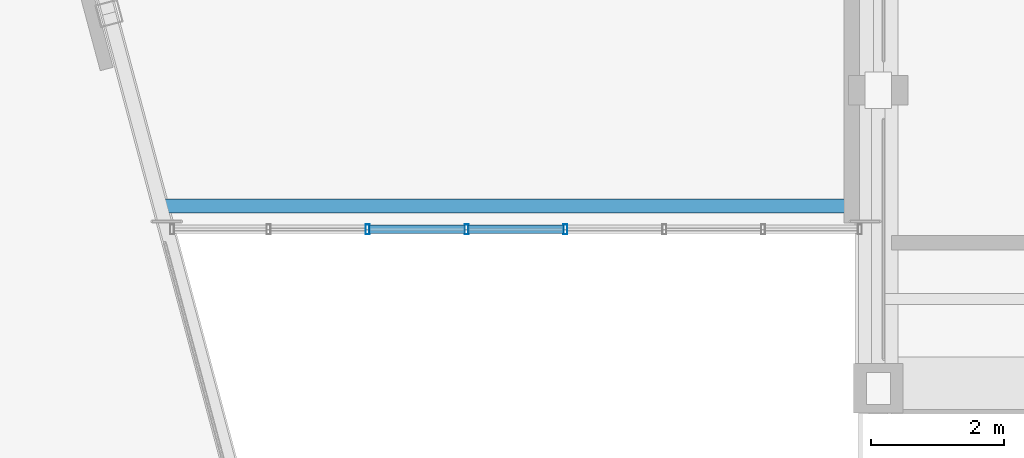
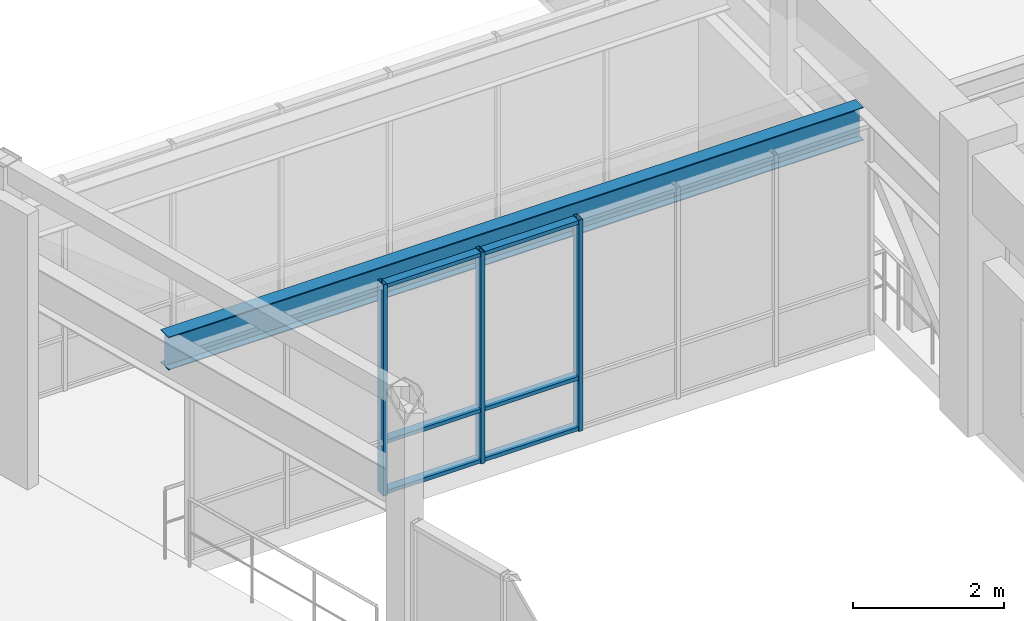
# One storey, part 44 of 99: 9 members, 1 beam, 1 element without a shape of its own.
"""IFC4 building model written with IfcOpenShell, lengths in metres."""

from ifc_helpers import new_model, si_unit, direction, frame, origin, origin_2d, place, context, subcontext, project, spatial, hollow_rectangle, i_section, extrude, material, layer, layer_set, material_profile, profile_set, type_object, element, aggregate, save


model = new_model("IFC4")

# Units and contexts
model_context = context("Model", 3, precision=1e-05, world=origin(), true_north=direction((0.0, 1.0)))
body_context = subcontext(model_context, "Body", "Model", "MODEL_VIEW")
ifc_project = project(units=[si_unit("LENGTHUNIT", "METRE"), si_unit("AREAUNIT", "SQUARE_METRE"), si_unit("VOLUMEUNIT", "CUBIC_METRE"), si_unit("PLANEANGLEUNIT", "RADIAN"), si_unit("MASSUNIT", "GRAM", prefix="KILO")], contexts=[model_context])

# Site, building, storey
site_placement = place(None, origin())
site = spatial("IfcSite", under=ifc_project, at=site_placement, CompositionType="ELEMENT")
building_placement = place(site_placement, origin())
building = spatial("IfcBuilding", under=site, at=building_placement, Name="Ventoquebrada Cableway Terminal", CompositionType="ELEMENT")
storey_placement = place(building_placement, frame((0.0, 0.0, 9.60009765625)))
storey = spatial("IfcBuildingStorey", under=building, at=storey_placement, Name="L02", CompositionType="ELEMENT", Elevation=9.60009765625)

# Beam
ifc_material_1 = material(Name="Steel ASTM A992 Grade 50", Category="steel")
ifc_material_profile_1 = material_profile(ifc_material_1, i_section(OverallWidth=0.2099609375, OverallDepth=0.532958984375, WebThickness=0.01025390625, FlangeThickness=0.015625, at=origin_2d()), Name="W21X62")
ifc_profile_set_1 = profile_set([ifc_material_profile_1], Name="Steel ASTM A992 Grade 50")
beam_type = type_object("IfcBeamType", Name="BM-ST01", PredefinedType="BEAM", material=ifc_profile_set_1)
beam_placement = place(storey_placement, frame((84.166015625, 88.75, 3.183837890625), z_axis=(1.0, 0.0, 0.0), x_axis=(0.0, 1.0, 0.0)))
element("IfcBeam", 1, at=beam_placement, inside=storey, type_object=beam_type, Name="Link bridge roof girder LP-3 FBM-1118", PredefinedType="BEAM", context=body_context, shape_type="SweptSolid", body=[
    extrude(i_section(OverallWidth=0.2099609375, OverallDepth=0.532958984375, WebThickness=0.01025390625, FlangeThickness=0.015625, at=origin_2d()), origin(), (0.0, 0.0, 1.0), 10.60888671875),
])

# Curtain wall, members
ifc_material_2 = material(Name="Anodized thermally-broken aluminium", Category="aluminium")
ifc_layer = layer(ifc_material_2, 0.159912109375)
ifc_layer_set = layer_set([ifc_layer], Name="Anodized thermally-broken aluminium")
curtain_wall_type = type_object("IfcCurtainWallType", Name="CW-T54", PredefinedType="USERDEFINED", material=ifc_layer_set)
curtain_wall_placement = place(storey_placement, origin())
curtain_wall = element("IfcCurtainWall", 2, at=curtain_wall_placement, inside=storey, type_object=curtain_wall_type, Name="Unitised glazed curtain wall CW-173", ObjectType="UNITISED CURTAIN WALL", PredefinedType="USERDEFINED")
ifc_material_profile_2 = material_profile(ifc_material_2, hollow_rectangle(XDim=0.06005859375, YDim=0.14990234375, WallThickness=0.00390625, at=origin_2d()), Name="CW-MUL-60X150")
ifc_profile_set_2 = profile_set([ifc_material_profile_2], Name="Anodized thermally-broken aluminium")
member_type_1 = type_object("IfcMemberType", Name="CWM-03", PredefinedType="MULLION", material=ifc_profile_set_2)
member_1_placement = place(storey_placement, frame((87.291015625, 88.39990234375, -0.008056640625), z_axis=(0.0, 0.0, 1.0), x_axis=(1.0, 0.0, 0.0)))
member_1 = element("IfcMember", 3, at=member_1_placement, type_object=member_type_1, Name="Curtain wall mullion FML-0863", PredefinedType="MULLION", context=body_context, shape_type="SweptSolid", body=[
    extrude(hollow_rectangle(XDim=0.06005859375, YDim=0.14990234375, WallThickness=0.00390625, at=origin_2d()), origin(), (0.0, 0.0, 1.0), 3.412841796875),
])
member_2_placement = place(storey_placement, frame((88.783935546875, 88.39990234375, -0.008056640625), z_axis=(0.0, 0.0, 1.0), x_axis=(1.0, 0.0, 0.0)))
member_2 = element("IfcMember", 4, at=member_2_placement, type_object=member_type_1, Name="Curtain wall mullion FML-0864", PredefinedType="MULLION", context=body_context, shape_type="SweptSolid", body=[
    extrude(hollow_rectangle(XDim=0.06005859375, YDim=0.14990234375, WallThickness=0.00390625, at=origin_2d()), origin(), (0.0, 0.0, 1.0), 3.412841796875),
])
member_3_placement = place(storey_placement, frame((90.27587890625, 88.39990234375, -0.008056640625), z_axis=(0.0, 0.0, 1.0), x_axis=(1.0, 0.0, 0.0)))
member_3 = element("IfcMember", 5, at=member_3_placement, type_object=member_type_1, Name="Curtain wall mullion FML-0865", PredefinedType="MULLION", context=body_context, shape_type="SweptSolid", body=[
    extrude(hollow_rectangle(XDim=0.06005859375, YDim=0.14990234375, WallThickness=0.00390625, at=origin_2d()), origin(), (0.0, 0.0, 1.0), 3.412841796875),
])
ifc_material_profile_3 = material_profile(ifc_material_2, hollow_rectangle(XDim=0.06005859375, YDim=0.1298828125, WallThickness=0.00390625, at=origin_2d()), Name="CW-TRN-60X130")
ifc_profile_set_3 = profile_set([ifc_material_profile_3], Name="Anodized thermally-broken aluminium")
member_type_2 = type_object("IfcMemberType", Name="CWT-02", PredefinedType="USERDEFINED", material=ifc_profile_set_3)
member_4_placement = place(storey_placement, frame((87.31591796875, 88.39990234375, 0.034912109375), z_axis=(1.0, 0.0, 0.0), x_axis=(0.0, 0.0, 1.0)))
member_4 = element("IfcMember", 6, at=member_4_placement, type_object=member_type_2, Name="Curtain wall transom FTR-2519", ObjectType="TRANSOM", PredefinedType="USERDEFINED", context=body_context, shape_type="SweptSolid", body=[
    extrude(hollow_rectangle(XDim=0.06005859375, YDim=0.1298828125, WallThickness=0.00390625, at=origin_2d()), origin(), (0.0, 0.0, 1.0), 1.443115234375),
])
member_5_placement = place(storey_placement, frame((87.31591796875, 88.39990234375, 0.849853515625), z_axis=(1.0, 0.0, 0.0), x_axis=(0.0, 0.0, 1.0)))
member_5 = element("IfcMember", 7, at=member_5_placement, type_object=member_type_2, Name="Curtain wall transom FTR-2520", ObjectType="TRANSOM", PredefinedType="USERDEFINED", context=body_context, shape_type="SweptSolid", body=[
    extrude(hollow_rectangle(XDim=0.06005859375, YDim=0.1298828125, WallThickness=0.00390625, at=origin_2d()), origin(), (0.0, 0.0, 1.0), 1.443115234375),
])
member_6_placement = place(storey_placement, frame((87.31591796875, 88.39990234375, 3.364990234375), z_axis=(1.0, 0.0, 0.0), x_axis=(0.0, 0.0, 1.0)))
member_6 = element("IfcMember", 8, at=member_6_placement, type_object=member_type_2, Name="Curtain wall transom FTR-2521", ObjectType="TRANSOM", PredefinedType="USERDEFINED", context=body_context, shape_type="SweptSolid", body=[
    extrude(hollow_rectangle(XDim=0.06005859375, YDim=0.1298828125, WallThickness=0.00390625, at=origin_2d()), origin(), (0.0, 0.0, 1.0), 1.443115234375),
])
member_7_placement = place(storey_placement, frame((88.80908203125, 88.39990234375, 0.034912109375), z_axis=(1.0, 0.0, 0.0), x_axis=(0.0, 0.0, 1.0)))
member_7 = element("IfcMember", 9, at=member_7_placement, type_object=member_type_2, Name="Curtain wall transom FTR-2522", ObjectType="TRANSOM", PredefinedType="USERDEFINED", context=body_context, shape_type="SweptSolid", body=[
    extrude(hollow_rectangle(XDim=0.06005859375, YDim=0.1298828125, WallThickness=0.00390625, at=origin_2d()), origin(), (0.0, 0.0, 1.0), 1.44189453125),
])
member_8_placement = place(storey_placement, frame((88.80908203125, 88.39990234375, 0.849853515625), z_axis=(1.0, 0.0, 0.0), x_axis=(0.0, 0.0, 1.0)))
member_8 = element("IfcMember", 10, at=member_8_placement, type_object=member_type_2, Name="Curtain wall transom FTR-2523", ObjectType="TRANSOM", PredefinedType="USERDEFINED", context=body_context, shape_type="SweptSolid", body=[
    extrude(hollow_rectangle(XDim=0.06005859375, YDim=0.1298828125, WallThickness=0.00390625, at=origin_2d()), origin(), (0.0, 0.0, 1.0), 1.44189453125),
])
member_9_placement = place(storey_placement, frame((88.80908203125, 88.39990234375, 3.364990234375), z_axis=(1.0, 0.0, 0.0), x_axis=(0.0, 0.0, 1.0)))
member_9 = element("IfcMember", 11, at=member_9_placement, type_object=member_type_2, Name="Curtain wall transom FTR-2524", ObjectType="TRANSOM", PredefinedType="USERDEFINED", context=body_context, shape_type="SweptSolid", body=[
    extrude(hollow_rectangle(XDim=0.06005859375, YDim=0.1298828125, WallThickness=0.00390625, at=origin_2d()), origin(), (0.0, 0.0, 1.0), 1.44189453125),
])
aggregate(curtain_wall, [member_1, member_2, member_3, member_4, member_5, member_6, member_7, member_8, member_9])

save(model, "model.ifc")
